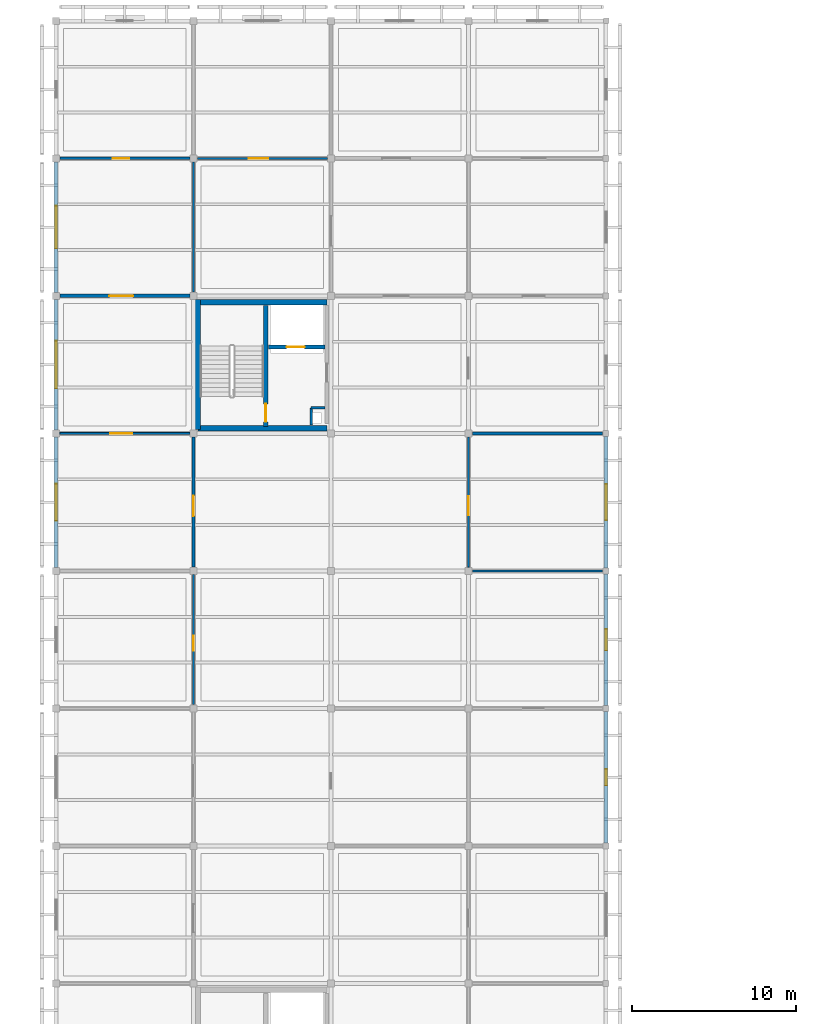
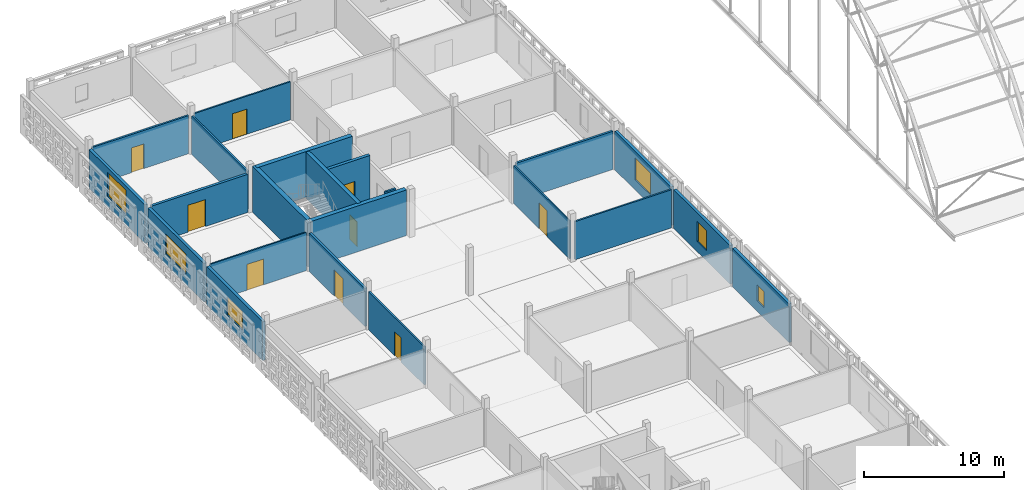
# One storey, part 72 of 103: 23 walls, 9 doors, 6 windows, 15 openings.
"""IFC4 building model written with IfcOpenShell, lengths in metres."""

from ifc_helpers import new_model, si_unit, direction, frame, frame_2d, origin, place, context, subcontext, project, spatial, rectangle, extrude, material, layer, layer_set, type_object, element, fill, save


model = new_model("IFC4")

# Units and contexts
model_context = context("Model", 3, precision=1e-05, world=origin(), true_north=direction((0.0, 1.0)))
body_context = subcontext(model_context, "Body", "Model", "MODEL_VIEW")
ifc_project = project(units=[si_unit("LENGTHUNIT", "METRE"), si_unit("AREAUNIT", "SQUARE_METRE"), si_unit("VOLUMEUNIT", "CUBIC_METRE"), si_unit("PLANEANGLEUNIT", "RADIAN"), si_unit("MASSUNIT", "GRAM", prefix="KILO")], contexts=[model_context])

# Site, building, storey
site_placement = place(None, origin())
site = spatial("IfcSite", under=ifc_project, at=site_placement, CompositionType="ELEMENT")
building_placement = place(site_placement, origin())
building = spatial("IfcBuilding", under=site, at=building_placement, Name="Varnapada Polytechnic", CompositionType="ELEMENT")
storey_placement = place(building_placement, frame((0.0, 0.0, 18.0)))
storey = spatial("IfcBuildingStorey", under=building, at=storey_placement, Name="L04", CompositionType="ELEMENT", Elevation=18.0)

# Walls
ifc_material_1 = material(Name="Autoclaved Aerated Concrete Block AAC-600", Category="concrete")
ifc_layer_1 = layer(ifc_material_1, 0.14990234375)
ifc_layer_set_1 = layer_set([ifc_layer_1], Name="Autoclaved Aerated Concrete Block AAC-600")
wall_type_1 = type_object("IfcWallType", Name="Interior Wall IW-02", PredefinedType="PARTITIONING", material=ifc_layer_set_1)
wall_1_placement = place(storey_placement, frame((15.580078125, 102.360107421875, 0.0), z_axis=(0.0, 0.0, 1.0), x_axis=(0.0, -1.0, 0.0)))
element("IfcWall", 1, at=wall_1_placement, inside=storey, type_object=wall_type_1, Name="L04 C1 riser shaft west wall", PredefinedType="PARTITIONING", context=body_context, shape_type="SweptSolid", body=[
    extrude(rectangle(XDim=1.06005859375, YDim=0.14990234375, at=frame_2d((0.530029296875, 0.0))), origin(), (0.0, 0.0, 1.0), 3.320068359375),
])
wall_2_placement = place(storey_placement, frame((15.580078125, 102.360107421875, 0.0), z_axis=(0.0, 0.0, 1.0), x_axis=(1.0, 0.0, 0.0)))
element("IfcWall", 2, at=wall_2_placement, inside=storey, type_object=wall_type_1, Name="L04 C1 riser shaft north wall", PredefinedType="PARTITIONING", context=body_context, shape_type="SweptSolid", body=[
    extrude(rectangle(XDim=0.85986328125, YDim=0.14990234375, at=frame_2d((0.429931640625, 0.0))), origin(), (0.0, 0.0, 1.0), 3.320068359375),
])

# Wall, opening, door
ifc_material_2 = material(Name="Gypsum Plasterboard Acoustic Partition")
ifc_layer_2 = layer(ifc_material_2, 0.125)
ifc_layer_set_2 = layer_set([ifc_layer_2], Name="Gypsum Plasterboard Acoustic Partition")
wall_type_2 = type_object("IfcWallType", Name="Interior Wall IW-03", PredefinedType="PARTITIONING", material=ifc_layer_set_2)
wall_3_placement = place(storey_placement, frame((8.6298828125, 117.60009765625, 0.0), z_axis=(0.0, 0.0, 1.0), x_axis=(1.0, 0.0, 0.0)))
wall_3 = element("IfcWall", 3, at=wall_3_placement, inside=storey, type_object=wall_type_2, Name="L04 interior partition IW-L04-01-13-H", PredefinedType="PARTITIONING", context=body_context, shape_type="SweptSolid", body=[
    extrude(rectangle(XDim=7.940185546875, YDim=0.125, at=frame_2d((3.97021484375, 0.0))), origin(), (0.0, 0.0, 1.0), 3.320068359375),
])
opening_1_placement = place(wall_3_placement, frame((3.14990234375, 0.0, 0.0)))
opening_1 = element("IfcOpeningElement", 4, at=opening_1_placement, cuts=wall_3, Name="Opening D-1278", PredefinedType="OPENING", context=body_context, shape_type="SweptSolid", body=[
    extrude(rectangle(XDim=1.199951171875, YDim=2.199951171875, at=frame_2d((0.60009765625, 1.10009765625))), frame((0.0, 0.072509765625, 0.0), z_axis=(0.0, -1.0, 0.0), x_axis=(1.0, 0.0, 0.0)), (0.0, 0.0, 1.0), 0.14501953125),
])
ifc_material_3 = material(Name="Solid Teak Hardwood Timber", Category="wood")
door_type_1 = type_object("IfcDoorType", Name="Interior Door ID-05", OperationType="NOTDEFINED", PredefinedType="DOOR", material=ifc_material_3)
door_1_placement = place(opening_1_placement, origin())
door_1 = element("IfcDoor", 5, at=door_1_placement, inside=storey, type_object=door_type_1, Name="L04 interior room door D-1278", OperationType="SINGLE_SWING_LEFT", OverallHeight=2.199951171875, OverallWidth=1.199951171875, PredefinedType="DOOR", context=body_context, shape_type="SweptSolid", body=[
    extrude(rectangle(XDim=1.199951171875, YDim=2.199951171875, at=frame_2d((0.60009765625, 1.10009765625))), frame((0.0, 0.02490234375, 0.0), z_axis=(0.0, -1.0, 0.0), x_axis=(1.0, 0.0, 0.0)), (0.0, 0.0, 1.0), 0.050048828125),
])
fill(opening_1, door_1)

ifc_material_4 = material(Name="Calcium Silicate Acoustic Lab Partition")
ifc_layer_3 = layer(ifc_material_4, 0.135009765625)
ifc_layer_set_3 = layer_set([ifc_layer_3], Name="Calcium Silicate Acoustic Lab Partition")
wall_type_3 = type_object("IfcWallType", Name="Interior Wall IW-09", PredefinedType="PARTITIONING", material=ifc_layer_set_3)
wall_4_placement = place(storey_placement, frame((8.39990234375, 84.22998046875, 0.0), z_axis=(0.0, 0.0, 1.0), x_axis=(0.0, 1.0, 0.0)))
wall_4 = element("IfcWall", 6, at=wall_4_placement, inside=storey, type_object=wall_type_3, Name="L04 interior partition IW-L04-00-10-V", PredefinedType="PARTITIONING", context=body_context, shape_type="SweptSolid", body=[
    extrude(rectangle(XDim=7.93994140625, YDim=0.135009765625, at=frame_2d((3.969970703125, 0.0))), origin(), (0.0, 0.0, 1.0), 3.320068359375),
])
opening_2_placement = place(wall_4_placement, frame((3.300048828125, 0.0, 0.0)))
opening_2 = element("IfcOpeningElement", 7, at=opening_2_placement, cuts=wall_4, Name="Opening D-1271", PredefinedType="OPENING", context=body_context, shape_type="SweptSolid", body=[
    extrude(rectangle(XDim=0.89990234375, YDim=2.10009765625, at=frame_2d((0.449951171875, 1.050048828125))), frame((0.0, 0.077392578125, 0.0), z_axis=(0.0, -1.0, 0.0), x_axis=(1.0, 0.0, 0.0)), (0.0, 0.0, 1.0), 0.155029296875),
])
ifc_material_5 = material(Name="Moisture-Resistant HPL Timber", Category="wood")
door_type_2 = type_object("IfcDoorType", Name="Interior Door ID-15", OperationType="NOTDEFINED", PredefinedType="DOOR", material=ifc_material_5)
door_2_placement = place(opening_2_placement, frame((0.89990234375, 0.0, 0.0), z_axis=(0.0, 0.0, 1.0), x_axis=(-1.0, 0.0, 0.0)))
door_2 = element("IfcDoor", 8, at=door_2_placement, inside=storey, type_object=door_type_2, Name="L04 interior room door D-1271", OperationType="SINGLE_SWING_RIGHT", OverallHeight=2.10009765625, OverallWidth=0.89990234375, PredefinedType="DOOR", context=body_context, shape_type="SweptSolid", body=[
    extrude(rectangle(XDim=0.89990234375, YDim=2.10009765625, at=frame_2d((0.449951171875, 1.050048828125))), frame((0.0, 0.02490234375, 0.0), z_axis=(0.0, -1.0, 0.0), x_axis=(1.0, 0.0, 0.0)), (0.0, 0.0, 1.0), 0.050048828125),
])
fill(opening_2, door_2)

# Walls
wall_5_placement = place(storey_placement, frame((25.429931640625, 92.39990234375, 0.0), z_axis=(0.0, 0.0, 1.0), x_axis=(1.0, 0.0, 0.0)))
element("IfcWall", 9, at=wall_5_placement, inside=storey, type_object=wall_type_3, Name="L04 interior partition IW-L04-03-10-H", PredefinedType="PARTITIONING", context=body_context, shape_type="SweptSolid", body=[
    extrude(rectangle(XDim=7.9599609375, YDim=0.135009765625, at=frame_2d((3.97998046875, 0.0))), origin(), (0.0, 0.0, 1.0), 3.320068359375),
])
ifc_material_6 = material(Name="Double-Layer Fireboard Workshop Wall")
ifc_layer_4 = layer(ifc_material_6, 0.169921875)
ifc_layer_set_4 = layer_set([ifc_layer_4], Name="Double-Layer Fireboard Workshop Wall")
wall_type_4 = type_object("IfcWallType", Name="Interior Wall IW-10", PredefinedType="PARTITIONING", material=ifc_layer_set_4)
wall_6_placement = place(storey_placement, frame((25.429931640625, 100.800048828125, 0.0), z_axis=(0.0, 0.0, 1.0), x_axis=(1.0, 0.0, 0.0)))
element("IfcWall", 10, at=wall_6_placement, inside=storey, type_object=wall_type_4, Name="L04 interior partition IW-L04-03-11-H", PredefinedType="PARTITIONING", context=body_context, shape_type="SweptSolid", body=[
    extrude(rectangle(XDim=7.9599609375, YDim=0.169921875, at=frame_2d((3.97998046875, 0.0))), origin(), (0.0, 0.0, 1.0), 3.320068359375),
])

# Wall, opening, door
ifc_material_7 = material(Name="Insulated Masonry Plant Room Wall", Category="masonry")
ifc_layer_5 = layer(ifc_material_7, 0.18994140625)
ifc_layer_set_5 = layer_set([ifc_layer_5], Name="Insulated Masonry Plant Room Wall")
wall_type_5 = type_object("IfcWallType", Name="Interior Wall IW-11", PredefinedType="PARTITIONING", material=ifc_layer_set_5)
wall_7_placement = place(storey_placement, frame((8.39990234375, 92.6298828125, 0.0), z_axis=(0.0, 0.0, 1.0), x_axis=(0.0, 1.0, 0.0)))
wall_7 = element("IfcWall", 11, at=wall_7_placement, inside=storey, type_object=wall_type_5, Name="L04 interior partition IW-L04-00-11-V", PredefinedType="PARTITIONING", context=body_context, shape_type="SweptSolid", body=[
    extrude(rectangle(XDim=7.940185546875, YDim=0.18994140625, at=frame_2d((3.97021484375, 0.0))), origin(), (0.0, 0.0, 1.0), 3.320068359375),
])
opening_3_placement = place(wall_7_placement, frame((3.125, 0.0, 0.0)))
opening_3 = element("IfcOpeningElement", 12, at=opening_3_placement, cuts=wall_7, Name="Opening D-1272", PredefinedType="OPENING", context=body_context, shape_type="SweptSolid", body=[
    extrude(rectangle(XDim=1.25, YDim=2.300048828125, at=frame_2d((0.625, 1.14990234375))), frame((0.0, 0.10498046875, 0.0), z_axis=(0.0, -1.0, 0.0), x_axis=(1.0, 0.0, 0.0)), (0.0, 0.0, 1.0), 0.2099609375),
])
door_type_3 = type_object("IfcDoorType", Name="Interior Door ID-16", OperationType="NOTDEFINED", PredefinedType="DOOR", material=ifc_material_3)
door_3_placement = place(opening_3_placement, origin())
door_3 = element("IfcDoor", 13, at=door_3_placement, inside=storey, type_object=door_type_3, Name="L04 interior room door D-1272", OperationType="SINGLE_SWING_LEFT", OverallHeight=2.300048828125, OverallWidth=1.25, PredefinedType="DOOR", context=body_context, shape_type="SweptSolid", body=[
    extrude(rectangle(XDim=1.25, YDim=2.300048828125, at=frame_2d((0.625, 1.14990234375))), frame((0.0, 0.02490234375, 0.0), z_axis=(0.0, -1.0, 0.0), x_axis=(1.0, 0.0, 0.0)), (0.0, 0.0, 1.0), 0.050048828125),
])
fill(opening_3, door_3)

ifc_material_8 = material(Name="Timber-Stud Studio Critique Partition", Category="wood")
ifc_layer_6 = layer(ifc_material_8, 0.114990234375)
ifc_layer_set_6 = layer_set([ifc_layer_6], Name="Timber-Stud Studio Critique Partition")
wall_type_6 = type_object("IfcWallType", Name="Interior Wall IW-12", PredefinedType="PARTITIONING", material=ifc_layer_set_6)
wall_8_placement = place(storey_placement, frame((0.22998046875, 100.800048828125, 0.0), z_axis=(0.0, 0.0, 1.0), x_axis=(1.0, 0.0, 0.0)))
wall_8 = element("IfcWall", 14, at=wall_8_placement, inside=storey, type_object=wall_type_6, Name="L04 interior partition IW-L04-00-11-H", PredefinedType="PARTITIONING", context=body_context, shape_type="SweptSolid", body=[
    extrude(rectangle(XDim=7.93994140625, YDim=0.114990234375, at=frame_2d((3.969970703125, 0.0))), origin(), (0.0, 0.0, 1.0), 3.320068359375),
])
opening_4_placement = place(wall_8_placement, frame((3.074951171875, 0.0, 0.0)))
opening_4 = element("IfcOpeningElement", 15, at=opening_4_placement, cuts=wall_8, Name="Opening D-1273", PredefinedType="OPENING", context=body_context, shape_type="SweptSolid", body=[
    extrude(rectangle(XDim=1.35009765625, YDim=2.25, at=frame_2d((0.675048828125, 1.125))), frame((0.0, 0.0673828125, 0.0), z_axis=(0.0, -1.0, 0.0), x_axis=(1.0, 0.0, 0.0)), (0.0, 0.0, 1.0), 0.135009765625),
])
ifc_material_9 = material(Name="Powder-Coated Aluminium 6063-T6", Category="aluminium")
door_type_4 = type_object("IfcDoorType", Name="Interior Door ID-17", OperationType="NOTDEFINED", PredefinedType="DOOR", material=ifc_material_9)
door_4_placement = place(opening_4_placement, origin())
door_4 = element("IfcDoor", 16, at=door_4_placement, inside=storey, type_object=door_type_4, Name="L04 interior room door D-1273", OperationType="SINGLE_SWING_RIGHT", OverallHeight=2.25, OverallWidth=1.35009765625, PredefinedType="DOOR", context=body_context, shape_type="SweptSolid", body=[
    extrude(rectangle(XDim=1.35009765625, YDim=2.25, at=frame_2d((0.675048828125, 1.125))), frame((0.0, 0.02490234375, 0.0), z_axis=(0.0, -1.0, 0.0), x_axis=(1.0, 0.0, 0.0)), (0.0, 0.0, 1.0), 0.050048828125),
])
fill(opening_4, door_4)

wall_9_placement = place(storey_placement, frame((25.199951171875, 92.6298828125, 0.0), z_axis=(0.0, 0.0, 1.0), x_axis=(0.0, 1.0, 0.0)))
wall_9 = element("IfcWall", 17, at=wall_9_placement, inside=storey, type_object=wall_type_6, Name="L04 interior partition IW-L04-02-11-V", PredefinedType="PARTITIONING", context=body_context, shape_type="SweptSolid", body=[
    extrude(rectangle(XDim=7.940185546875, YDim=0.114990234375, at=frame_2d((3.97021484375, 0.0))), origin(), (0.0, 0.0, 1.0), 3.320068359375),
])
opening_5_placement = place(wall_9_placement, frame((3.175048828125, 0.0, 0.0)))
opening_5 = element("IfcOpeningElement", 18, at=opening_5_placement, cuts=wall_9, Name="Opening D-1283", PredefinedType="OPENING", context=body_context, shape_type="SweptSolid", body=[
    extrude(rectangle(XDim=1.14990234375, YDim=2.25, at=frame_2d((0.574951171875, 1.125))), frame((0.0, 0.0673828125, 0.0), z_axis=(0.0, -1.0, 0.0), x_axis=(1.0, 0.0, 0.0)), (0.0, 0.0, 1.0), 0.135009765625),
])
door_type_5 = type_object("IfcDoorType", Name="Interior Door ID-10", OperationType="NOTDEFINED", PredefinedType="DOOR", material=ifc_material_9)
door_5_placement = place(opening_5_placement, frame((1.14990234375, 0.0, 0.0), z_axis=(0.0, 0.0, 1.0), x_axis=(-1.0, 0.0, 0.0)))
door_5 = element("IfcDoor", 19, at=door_5_placement, inside=storey, type_object=door_type_5, Name="L04 interior room door D-1283", OperationType="SINGLE_SWING_RIGHT", OverallHeight=2.25, OverallWidth=1.14990234375, PredefinedType="DOOR", context=body_context, shape_type="SweptSolid", body=[
    extrude(rectangle(XDim=1.14990234375, YDim=2.25, at=frame_2d((0.574951171875, 1.125))), frame((0.0, 0.02490234375, 0.0), z_axis=(0.0, -1.0, 0.0), x_axis=(1.0, 0.0, 0.0)), (0.0, 0.0, 1.0), 0.050048828125),
])
fill(opening_5, door_5)

ifc_material_10 = material(Name="Heavy Acoustic Auditorium Baffle Wall")
ifc_layer_7 = layer(ifc_material_10, 0.219970703125)
ifc_layer_set_7 = layer_set([ifc_layer_7], Name="Heavy Acoustic Auditorium Baffle Wall")
wall_type_7 = type_object("IfcWallType", Name="Interior Wall IW-13", PredefinedType="PARTITIONING", material=ifc_layer_set_7)
wall_10_placement = place(storey_placement, frame((0.22998046875, 109.199951171875, 0.0), z_axis=(0.0, 0.0, 1.0), x_axis=(1.0, 0.0, 0.0)))
wall_10 = element("IfcWall", 20, at=wall_10_placement, inside=storey, type_object=wall_type_7, Name="L04 interior partition IW-L04-00-12-H", PredefinedType="PARTITIONING", context=body_context, shape_type="SweptSolid", body=[
    extrude(rectangle(XDim=7.93994140625, YDim=0.219970703125, at=frame_2d((3.969970703125, 0.0))), origin(), (0.0, 0.0, 1.0), 3.320068359375),
])
opening_6_placement = place(wall_10_placement, frame((3.02490234375, 0.0, 0.0)))
opening_6 = element("IfcOpeningElement", 21, at=opening_6_placement, cuts=wall_10, Name="Opening D-1274", PredefinedType="OPENING", context=body_context, shape_type="SweptSolid", body=[
    extrude(rectangle(XDim=1.449951171875, YDim=2.35009765625, at=frame_2d((0.72509765625, 1.175048828125))), frame((0.0, 0.119873046875, 0.0), z_axis=(0.0, -1.0, 0.0), x_axis=(1.0, 0.0, 0.0)), (0.0, 0.0, 1.0), 0.239990234375),
])
ifc_material_11 = material(Name="Galvanized Steel Z275", Category="steel")
door_type_6 = type_object("IfcDoorType", Name="Interior Door ID-18", OperationType="NOTDEFINED", PredefinedType="DOOR", material=ifc_material_11)
door_6_placement = place(opening_6_placement, frame((1.449951171875, 0.0, 0.0), z_axis=(0.0, 0.0, 1.0), x_axis=(-1.0, 0.0, 0.0)))
door_6 = element("IfcDoor", 22, at=door_6_placement, inside=storey, type_object=door_type_6, Name="L04 interior room door D-1274", OperationType="SINGLE_SWING_LEFT", OverallHeight=2.35009765625, OverallWidth=1.449951171875, PredefinedType="DOOR", context=body_context, shape_type="SweptSolid", body=[
    extrude(rectangle(XDim=1.449951171875, YDim=2.35009765625, at=frame_2d((0.72509765625, 1.175048828125))), frame((0.0, 0.02490234375, 0.0), z_axis=(0.0, -1.0, 0.0), x_axis=(1.0, 0.0, 0.0)), (0.0, 0.0, 1.0), 0.050048828125),
])
fill(opening_6, door_6)

# Wall
ifc_material_12 = material(Name="Ceramic-Tiled Wet Laboratory Wall")
ifc_layer_8 = layer(ifc_material_12, 0.14501953125)
ifc_layer_set_8 = layer_set([ifc_layer_8], Name="Ceramic-Tiled Wet Laboratory Wall")
wall_type_8 = type_object("IfcWallType", Name="Interior Wall IW-14", PredefinedType="PARTITIONING", material=ifc_layer_set_8)
wall_11_placement = place(storey_placement, frame((8.39990234375, 109.429931640625, 0.0), z_axis=(0.0, 0.0, 1.0), x_axis=(0.0, 1.0, 0.0)))
element("IfcWall", 23, at=wall_11_placement, inside=storey, type_object=wall_type_8, Name="L04 interior partition IW-L04-00-13-V", PredefinedType="PARTITIONING", context=body_context, shape_type="SweptSolid", body=[
    extrude(rectangle(XDim=7.940185546875, YDim=0.14501953125, at=frame_2d((3.97021484375, 0.0))), origin(), (0.0, 0.0, 1.0), 3.320068359375),
])

# Wall, opening, door
ifc_material_13 = material(Name="Perforated Timber-Lined Seminar Wall", Category="wood")
ifc_layer_9 = layer(ifc_material_13, 0.155029296875)
ifc_layer_set_9 = layer_set([ifc_layer_9], Name="Perforated Timber-Lined Seminar Wall")
wall_type_9 = type_object("IfcWallType", Name="Interior Wall IW-15", PredefinedType="PARTITIONING", material=ifc_layer_set_9)
wall_12_placement = place(storey_placement, frame((0.22998046875, 117.60009765625, 0.0), z_axis=(0.0, 0.0, 1.0), x_axis=(1.0, 0.0, 0.0)))
wall_12 = element("IfcWall", 24, at=wall_12_placement, inside=storey, type_object=wall_type_9, Name="L04 interior partition IW-L04-00-13-H", PredefinedType="PARTITIONING", context=body_context, shape_type="SweptSolid", body=[
    extrude(rectangle(XDim=7.93994140625, YDim=0.155029296875, at=frame_2d((3.969970703125, 0.0))), origin(), (0.0, 0.0, 1.0), 3.320068359375),
])
opening_7_placement = place(wall_12_placement, frame((3.25, 0.0, 0.0)))
opening_7 = element("IfcOpeningElement", 25, at=opening_7_placement, cuts=wall_12, Name="Opening D-1275", PredefinedType="OPENING", context=body_context, shape_type="SweptSolid", body=[
    extrude(rectangle(XDim=1.0, YDim=2.14990234375, at=frame_2d((0.5, 1.074951171875))), frame((0.0, 0.08740234375, 0.0), z_axis=(0.0, -1.0, 0.0), x_axis=(1.0, 0.0, 0.0)), (0.0, 0.0, 1.0), 0.175048828125),
])
door_type_7 = type_object("IfcDoorType", Name="Interior Door ID-02", OperationType="NOTDEFINED", PredefinedType="DOOR", material=ifc_material_3)
door_7_placement = place(opening_7_placement, origin())
door_7 = element("IfcDoor", 26, at=door_7_placement, inside=storey, type_object=door_type_7, Name="L04 interior room door D-1275", OperationType="SINGLE_SWING_RIGHT", OverallHeight=2.14990234375, OverallWidth=1.0, PredefinedType="DOOR", context=body_context, shape_type="SweptSolid", body=[
    extrude(rectangle(XDim=1.0, YDim=2.14990234375, at=frame_2d((0.5, 1.074951171875))), frame((0.0, 0.02490234375, 0.0), z_axis=(0.0, -1.0, 0.0), x_axis=(1.0, 0.0, 0.0)), (0.0, 0.0, 1.0), 0.050048828125),
])
fill(opening_7, door_7)

# Walls
ifc_material_14 = material(Name="Concrete C40/50", Category="concrete")
ifc_layer_10 = layer(ifc_material_14, 0.35009765625)
ifc_layer_set_10 = layer_set([ifc_layer_10], Name="Concrete C40/50")
wall_type_10 = type_object("IfcWallType", Name="Interior Wall SW-01", PredefinedType="SHEAR", material=ifc_layer_set_10)
wall_13_placement = place(storey_placement, frame((8.6650390625, 101.050048828125, 0.0), z_axis=(0.0, 0.0, 1.0), x_axis=(0.0, 1.0, 0.0)))
element("IfcWall", 27, at=wall_13_placement, inside=storey, type_object=wall_type_10, Name="L04 C1 stair west shear wall", PredefinedType="SHEAR", context=body_context, shape_type="SweptSolid", body=[
    extrude(rectangle(XDim=7.93994140625, YDim=0.35009765625, at=frame_2d((3.969970703125, 0.0))), origin(), (0.0, 0.0, 1.0), 3.97998046875),
])
for number, where, z_axis, x_axis, name in (
    (28, (8.6650390625, 108.820068359375, 0.0), (0.0, 0.0, 1.0), (1.0, 0.0, 0.0), "L04 C1 core north shear wall"),
    (29, (16.5400390625, 101.1201171875, 0.0), (0.0, 0.0, 1.0), (-1.0, 0.0, 0.0), "L04 C1 core south shear wall"),
):
    element("IfcWall", number, at=place(storey_placement, frame(where, z_axis=z_axis, x_axis=x_axis)), inside=storey, type_object=wall_type_10, Name=name, PredefinedType="SHEAR", context=body_context, shape_type="SweptSolid", body=[
        extrude(rectangle(XDim=7.875, YDim=0.35009765625, at=frame_2d((3.9375, 0.0))), origin(), (0.0, 0.0, 1.0), 3.97998046875),
    ])

# Wall, opening, door
ifc_layer_11 = layer(ifc_material_14, 0.300048828125)
ifc_layer_set_11 = layer_set([ifc_layer_11], Name="Concrete C40/50")
wall_type_11 = type_object("IfcWallType", Name="Interior Wall SW-02", PredefinedType="SHEAR", material=ifc_layer_set_11)
wall_14_placement = place(storey_placement, frame((12.81005859375, 101.219970703125, 0.0), z_axis=(0.0, 0.0, 1.0), x_axis=(0.0, 1.0, 0.0)))
wall_14 = element("IfcWall", 30, at=wall_14_placement, inside=storey, type_object=wall_type_11, Name="L04 C1 stair-lobby dividing shear wall", PredefinedType="SHEAR", context=body_context, shape_type="SweptSolid", body=[
    extrude(rectangle(XDim=7.380126953125, YDim=0.300048828125, at=frame_2d((3.68994140625, 0.0))), origin(), (0.0, 0.0, 1.0), 3.97998046875),
])
opening_8_placement = place(wall_14_placement, frame((0.280029296875, 0.0, 0.0)))
opening_8 = element("IfcOpeningElement", 31, at=opening_8_placement, cuts=wall_14, Name="Opening D-1262", PredefinedType="OPENING", context=body_context, shape_type="SweptSolid", body=[
    extrude(rectangle(XDim=1.10009765625, YDim=2.14990234375, at=frame_2d((0.550048828125, 1.074951171875))), frame((0.0, 0.159912109375, 0.0), z_axis=(0.0, -1.0, 0.0), x_axis=(1.0, 0.0, 0.0)), (0.0, 0.0, 1.0), 0.320068359375),
])
door_type_8 = type_object("IfcDoorType", Name="Interior Door ID-01", OperationType="NOTDEFINED", PredefinedType="DOOR", material=ifc_material_11)
door_8_placement = place(opening_8_placement, origin())
door_8 = element("IfcDoor", 32, at=door_8_placement, inside=storey, type_object=door_type_8, Name="L04 C1 exit stair door D-1262", OperationType="SINGLE_SWING_LEFT", OverallHeight=2.14990234375, OverallWidth=1.10009765625, PredefinedType="DOOR", context=body_context, shape_type="SweptSolid", body=[
    extrude(rectangle(XDim=1.10009765625, YDim=2.14990234375, at=frame_2d((0.550048828125, 1.074951171875))), frame((0.0, 0.02490234375, 0.0), z_axis=(0.0, -1.0, 0.0), x_axis=(1.0, 0.0, 0.0)), (0.0, 0.0, 1.0), 0.050048828125),
])
fill(opening_8, door_8)

ifc_layer_12 = layer(ifc_material_14, 0.25)
ifc_layer_set_12 = layer_set([ifc_layer_12], Name="Concrete C40/50")
wall_type_12 = type_object("IfcWallType", Name="Interior Wall SW-05", PredefinedType="SHEAR", material=ifc_layer_set_12)
wall_15_placement = place(storey_placement, frame((12.97998046875, 106.080078125, 0.0), z_axis=(0.0, 0.0, 1.0), x_axis=(1.0, 0.0, 0.0)))
wall_15 = element("IfcWall", 33, at=wall_15_placement, inside=storey, type_object=wall_type_12, Name="L04 C1 lift shaft front wall", PredefinedType="SHEAR", context=body_context, shape_type="SweptSolid", body=[
    extrude(rectangle(XDim=3.4599609375, YDim=0.25, at=frame_2d((1.72998046875, 0.0))), origin(), (0.0, 0.0, 1.0), 3.97998046875),
])
opening_9_placement = place(wall_15_placement, frame((1.10009765625, 0.0, 0.0)))
opening_9 = element("IfcOpeningElement", 34, at=opening_9_placement, cuts=wall_15, Name="Opening LD-031", PredefinedType="OPENING", context=body_context, shape_type="SweptSolid", body=[
    extrude(rectangle(XDim=1.10009765625, YDim=2.14990234375, at=frame_2d((0.550048828125, 1.074951171875))), frame((0.0, 0.135009765625, 0.0), z_axis=(0.0, -1.0, 0.0), x_axis=(1.0, 0.0, 0.0)), (0.0, 0.0, 1.0), 0.27001953125),
])
ifc_material_15 = material(Name="Brushed Stainless Steel 316", Category="steel")
door_type_9 = type_object("IfcDoorType", Name="Interior Door LD-01", OperationType="NOTDEFINED", PredefinedType="DOOR", material=ifc_material_15)
door_9_placement = place(opening_9_placement, origin())
door_9 = element("IfcDoor", 35, at=door_9_placement, inside=storey, type_object=door_type_9, Name="L04 LFT-01 sliding lift landing door LD-031", OperationType="DOUBLE_DOOR_SLIDING", OverallHeight=2.14990234375, OverallWidth=1.10009765625, PredefinedType="DOOR", context=body_context, shape_type="SweptSolid", body=[
    extrude(rectangle(XDim=1.10009765625, YDim=2.14990234375, at=frame_2d((0.550048828125, 1.074951171875))), frame((0.0, 0.02490234375, 0.0), z_axis=(0.0, -1.0, 0.0), x_axis=(1.0, 0.0, 0.0)), (0.0, 0.0, 1.0), 0.050048828125),
])
fill(opening_9, door_9)

# Wall, opening, window
ifc_material_16 = material(Name="Precast concrete C40/50", Category="concrete")
ifc_layer_13 = layer(ifc_material_16, 0.239990234375)
ifc_layer_set_13 = layer_set([ifc_layer_13], Name="Precast concrete C40/50")
wall_type_13 = type_object("IfcWallType", Name="Wall EW-06", PredefinedType="SOLIDWALL", material=ifc_layer_set_13)
wall_16_placement = place(storey_placement, frame((0.0, 92.610107421875, 0.0), z_axis=(0.0, 0.0, 1.0), x_axis=(0.0, 1.0, 0.0)))
wall_16 = element("IfcWall", 36, at=wall_16_placement, inside=storey, type_object=wall_type_13, Name="L04 exterior wall EW-06 (7)", PredefinedType="SOLIDWALL", context=body_context, shape_type="SweptSolid", body=[
    extrude(rectangle(XDim=7.97998046875, YDim=0.239990234375, at=frame_2d((3.989990234375, 0.0))), origin(), (0.0, 0.0, 1.0), 3.360107421875),
])
opening_10_placement = place(wall_16_placement, frame((2.864990234375, 0.0, 0.89990234375)))
opening_10 = element("IfcOpeningElement", 37, at=opening_10_placement, cuts=wall_16, Name="Opening WN-33", PredefinedType="OPENING", context=body_context, shape_type="SweptSolid", body=[
    extrude(rectangle(XDim=2.25, YDim=1.60009765625, at=frame_2d((1.125, 0.800048828125))), frame((0.0, 0.1298828125, 0.0), z_axis=(0.0, -1.0, 0.0), x_axis=(1.0, 0.0, 0.0)), (0.0, 0.0, 1.0), 0.260009765625),
])
ifc_material_17 = material(Name="Double low-E laminated glass", Category="glass")
window_type_1 = type_object("IfcWindowType", Name="Window WN-33", PartitioningType="SINGLE_PANEL", PredefinedType="WINDOW", material=ifc_material_17)
window_1_placement = place(opening_10_placement, origin())
window_1 = element("IfcWindow", 38, at=window_1_placement, inside=storey, type_object=window_type_1, Name="L04 window WN-33 (184)", OverallHeight=1.60009765625, OverallWidth=2.25, PartitioningType="SINGLE_PANEL", PredefinedType="WINDOW", context=body_context, shape_type="SweptSolid", body=[
    extrude(rectangle(XDim=2.25, YDim=1.60009765625, at=frame_2d((1.125, 0.800048828125))), frame((0.0, 0.030029296875, 0.0), z_axis=(0.0, -1.0, 0.0), x_axis=(1.0, 0.0, 0.0)), (0.0, 0.0, 1.0), 0.06005859375),
])
fill(opening_10, window_1)

wall_17_placement = place(storey_placement, frame((0.0, 101.010009765625, 0.0), z_axis=(0.0, 0.0, 1.0), x_axis=(0.0, 1.0, 0.0)))
wall_17 = element("IfcWall", 39, at=wall_17_placement, inside=storey, type_object=wall_type_13, Name="L04 exterior wall EW-06 (8)", PredefinedType="SOLIDWALL", context=body_context, shape_type="SweptSolid", body=[
    extrude(rectangle(XDim=7.97998046875, YDim=0.239990234375, at=frame_2d((3.989990234375, 0.0))), origin(), (0.0, 0.0, 1.0), 3.360107421875),
])
opening_11_placement = place(wall_17_placement, frame((2.5400390625, 0.0, 0.89990234375)))
opening_11 = element("IfcOpeningElement", 40, at=opening_11_placement, cuts=wall_17, Name="Opening WN-36", PredefinedType="OPENING", context=body_context, shape_type="SweptSolid", body=[
    extrude(rectangle(XDim=2.89990234375, YDim=1.75, at=frame_2d((1.449951171875, 0.875))), frame((0.0, 0.1298828125, 0.0), z_axis=(0.0, -1.0, 0.0), x_axis=(1.0, 0.0, 0.0)), (0.0, 0.0, 1.0), 0.260009765625),
])
window_type_2 = type_object("IfcWindowType", Name="Window WN-36", PartitioningType="SINGLE_PANEL", PredefinedType="WINDOW", material=ifc_material_17)
window_2_placement = place(opening_11_placement, origin())
window_2 = element("IfcWindow", 41, at=window_2_placement, inside=storey, type_object=window_type_2, Name="L04 window WN-36 (185)", OverallHeight=1.75, OverallWidth=2.89990234375, PartitioningType="SINGLE_PANEL", PredefinedType="WINDOW", context=body_context, shape_type="SweptSolid", body=[
    extrude(rectangle(XDim=2.89990234375, YDim=1.75, at=frame_2d((1.449951171875, 0.875))), frame((0.0, 0.030029296875, 0.0), z_axis=(0.0, -1.0, 0.0), x_axis=(1.0, 0.0, 0.0)), (0.0, 0.0, 1.0), 0.06005859375),
])
fill(opening_11, window_2)

wall_18_placement = place(storey_placement, frame((0.0, 109.409912109375, 0.0), z_axis=(0.0, 0.0, 1.0), x_axis=(0.0, 1.0, 0.0)))
wall_18 = element("IfcWall", 42, at=wall_18_placement, inside=storey, type_object=wall_type_13, Name="L04 exterior wall EW-06 (9)", PredefinedType="SOLIDWALL", context=body_context, shape_type="SweptSolid", body=[
    extrude(rectangle(XDim=7.97998046875, YDim=0.239990234375, at=frame_2d((3.989990234375, 0.0))), origin(), (0.0, 0.0, 1.0), 3.360107421875),
])
opening_12_placement = place(wall_18_placement, frame((2.68994140625, 0.0, 0.89990234375)))
opening_12 = element("IfcOpeningElement", 43, at=opening_12_placement, cuts=wall_18, Name="Opening WN-03", PredefinedType="OPENING", context=body_context, shape_type="SweptSolid", body=[
    extrude(rectangle(XDim=2.60009765625, YDim=2.10009765625, at=frame_2d((1.300048828125, 1.050048828125))), frame((0.0, 0.1298828125, 0.0), z_axis=(0.0, -1.0, 0.0), x_axis=(1.0, 0.0, 0.0)), (0.0, 0.0, 1.0), 0.260009765625),
])
window_type_3 = type_object("IfcWindowType", Name="Window WN-03", PartitioningType="SINGLE_PANEL", PredefinedType="WINDOW", material=ifc_material_17)
window_3_placement = place(opening_12_placement, origin())
window_3 = element("IfcWindow", 44, at=window_3_placement, inside=storey, type_object=window_type_3, Name="L04 window WN-03 (186)", OverallHeight=2.10009765625, OverallWidth=2.60009765625, PartitioningType="SINGLE_PANEL", PredefinedType="WINDOW", context=body_context, shape_type="SweptSolid", body=[
    extrude(rectangle(XDim=2.60009765625, YDim=2.10009765625, at=frame_2d((1.300048828125, 1.050048828125))), frame((0.0, 0.030029296875, 0.0), z_axis=(0.0, -1.0, 0.0), x_axis=(1.0, 0.0, 0.0)), (0.0, 0.0, 1.0), 0.06005859375),
])
fill(opening_12, window_3)

wall_19_placement = place(storey_placement, frame((33.60009765625, 83.81005859375, 0.0), z_axis=(0.0, 0.0, 1.0), x_axis=(0.0, -1.0, 0.0)))
wall_19 = element("IfcWall", 45, at=wall_19_placement, inside=storey, type_object=wall_type_13, Name="L04 exterior wall EW-06 (27)", PredefinedType="SOLIDWALL", context=body_context, shape_type="SweptSolid", body=[
    extrude(rectangle(XDim=8.02001953125, YDim=0.239990234375, at=frame_2d((4.010009765625, 0.0))), origin(), (0.0, 0.0, 1.0), 3.360107421875),
])
opening_13_placement = place(wall_19_placement, frame((3.510009765625, 0.0, 0.89990234375)))
opening_13 = element("IfcOpeningElement", 46, at=opening_13_placement, cuts=wall_19, Name="Opening WN-06", PredefinedType="OPENING", context=body_context, shape_type="SweptSolid", body=[
    extrude(rectangle(XDim=1.0, YDim=1.39990234375, at=frame_2d((0.5, 0.699951171875))), frame((0.0, 0.1298828125, 0.0), z_axis=(0.0, -1.0, 0.0), x_axis=(1.0, 0.0, 0.0)), (0.0, 0.0, 1.0), 0.260009765625),
])
window_type_4 = type_object("IfcWindowType", Name="Window WN-06", PartitioningType="SINGLE_PANEL", PredefinedType="WINDOW", material=ifc_material_17)
window_4_placement = place(opening_13_placement, origin())
window_4 = element("IfcWindow", 47, at=window_4_placement, inside=storey, type_object=window_type_4, Name="L04 window WN-06 (201)", OverallHeight=1.39990234375, OverallWidth=1.0, PartitioningType="SINGLE_PANEL", PredefinedType="WINDOW", context=body_context, shape_type="SweptSolid", body=[
    extrude(rectangle(XDim=1.0, YDim=1.39990234375, at=frame_2d((0.5, 0.699951171875))), frame((0.0, 0.030029296875, 0.0), z_axis=(0.0, -1.0, 0.0), x_axis=(1.0, 0.0, 0.0)), (0.0, 0.0, 1.0), 0.06005859375),
])
fill(opening_13, window_4)

wall_20_placement = place(storey_placement, frame((33.60009765625, 92.2099609375, 0.0), z_axis=(0.0, 0.0, 1.0), x_axis=(0.0, -1.0, 0.0)))
wall_20 = element("IfcWall", 48, at=wall_20_placement, inside=storey, type_object=wall_type_13, Name="L04 exterior wall EW-06 (28)", PredefinedType="SOLIDWALL", context=body_context, shape_type="SweptSolid", body=[
    extrude(rectangle(XDim=8.02001953125, YDim=0.239990234375, at=frame_2d((4.010009765625, 0.0))), origin(), (0.0, 0.0, 1.0), 3.360107421875),
])
opening_14_placement = place(wall_20_placement, frame((3.360107421875, 0.0, 0.89990234375)))
opening_14 = element("IfcOpeningElement", 49, at=opening_14_placement, cuts=wall_20, Name="Opening WN-09", PredefinedType="OPENING", context=body_context, shape_type="SweptSolid", body=[
    extrude(rectangle(XDim=1.300048828125, YDim=1.75, at=frame_2d((0.64990234375, 0.875))), frame((0.0, 0.1298828125, 0.0), z_axis=(0.0, -1.0, 0.0), x_axis=(1.0, 0.0, 0.0)), (0.0, 0.0, 1.0), 0.260009765625),
])
window_type_5 = type_object("IfcWindowType", Name="Window WN-09", PartitioningType="SINGLE_PANEL", PredefinedType="WINDOW", material=ifc_material_17)
window_5_placement = place(opening_14_placement, origin())
window_5 = element("IfcWindow", 50, at=window_5_placement, inside=storey, type_object=window_type_5, Name="L04 window WN-09 (202)", OverallHeight=1.75, OverallWidth=1.300048828125, PartitioningType="SINGLE_PANEL", PredefinedType="WINDOW", context=body_context, shape_type="SweptSolid", body=[
    extrude(rectangle(XDim=1.300048828125, YDim=1.75, at=frame_2d((0.64990234375, 0.875))), frame((0.0, 0.030029296875, 0.0), z_axis=(0.0, -1.0, 0.0), x_axis=(1.0, 0.0, 0.0)), (0.0, 0.0, 1.0), 0.06005859375),
])
fill(opening_14, window_5)

wall_21_placement = place(storey_placement, frame((33.60009765625, 100.610107421875, 0.0), z_axis=(0.0, 0.0, 1.0), x_axis=(0.0, -1.0, 0.0)))
wall_21 = element("IfcWall", 51, at=wall_21_placement, inside=storey, type_object=wall_type_13, Name="L04 exterior wall EW-06 (29)", PredefinedType="SOLIDWALL", context=body_context, shape_type="SweptSolid", body=[
    extrude(rectangle(XDim=8.02001953125, YDim=0.239990234375, at=frame_2d((4.010009765625, 0.0))), origin(), (0.0, 0.0, 1.0), 3.360107421875),
])
opening_15_placement = place(wall_21_placement, frame((2.909912109375, 0.0, 0.89990234375)))
opening_15 = element("IfcOpeningElement", 52, at=opening_15_placement, cuts=wall_21, Name="Opening WN-12", PredefinedType="OPENING", context=body_context, shape_type="SweptSolid", body=[
    extrude(rectangle(XDim=2.199951171875, YDim=1.89990234375, at=frame_2d((1.10009765625, 0.949951171875))), frame((0.0, 0.1298828125, 0.0), z_axis=(0.0, -1.0, 0.0), x_axis=(1.0, 0.0, 0.0)), (0.0, 0.0, 1.0), 0.260009765625),
])
window_type_6 = type_object("IfcWindowType", Name="Window WN-12", PartitioningType="SINGLE_PANEL", PredefinedType="WINDOW", material=ifc_material_17)
window_6_placement = place(opening_15_placement, origin())
window_6 = element("IfcWindow", 53, at=window_6_placement, inside=storey, type_object=window_type_6, Name="L04 window WN-12 (203)", OverallHeight=1.89990234375, OverallWidth=2.199951171875, PartitioningType="SINGLE_PANEL", PredefinedType="WINDOW", context=body_context, shape_type="SweptSolid", body=[
    extrude(rectangle(XDim=2.199951171875, YDim=1.89990234375, at=frame_2d((1.10009765625, 0.949951171875))), frame((0.0, 0.030029296875, 0.0), z_axis=(0.0, -1.0, 0.0), x_axis=(1.0, 0.0, 0.0)), (0.0, 0.0, 1.0), 0.06005859375),
])
fill(opening_15, window_6)

save(model, "model.ifc")
